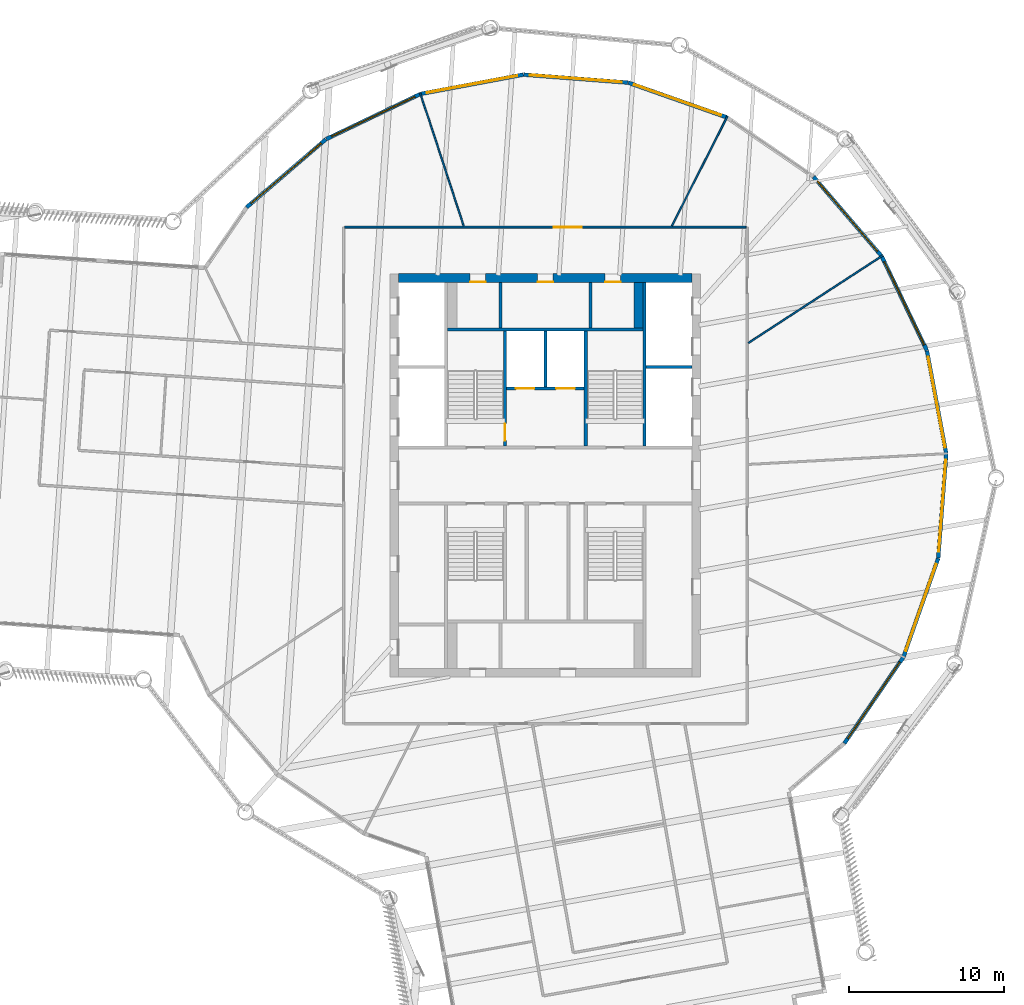
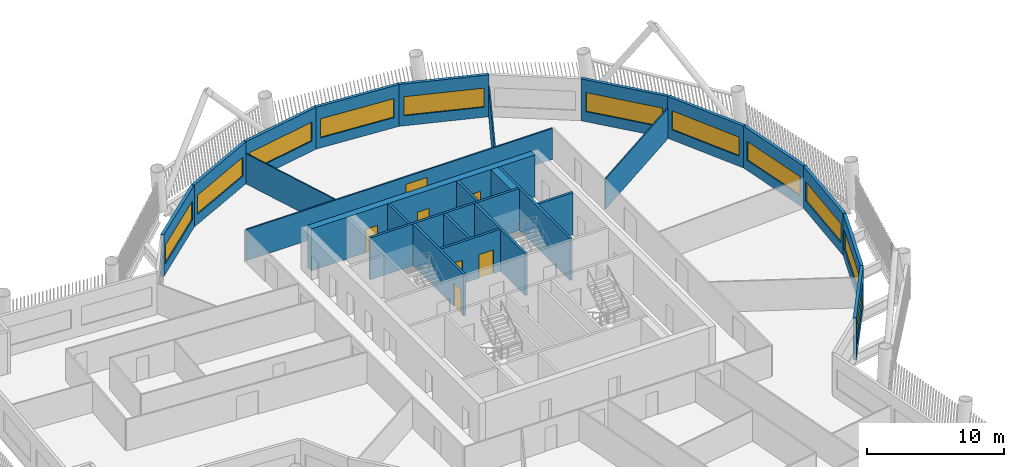
# One storey, part 6 of 22: 26 walls, 11 windows, 7 doors, 18 openings.
"""IFC4 building model written with IfcOpenShell, lengths in metres."""

from ifc_helpers import new_model, si_unit, direction, frame, frame_2d, origin, place, context, subcontext, project, spatial, rectangle, extrude, material, layer, layer_set, type_object, element, fill, save


model = new_model("IFC4")

# Units and contexts
model_context = context("Model", 3, precision=1e-05, world=origin(), true_north=direction((0.0, 1.0)))
body_context = subcontext(model_context, "Body", "Model", "MODEL_VIEW")
ifc_project = project(units=[si_unit("LENGTHUNIT", "METRE"), si_unit("AREAUNIT", "SQUARE_METRE"), si_unit("VOLUMEUNIT", "CUBIC_METRE"), si_unit("PLANEANGLEUNIT", "RADIAN"), si_unit("MASSUNIT", "GRAM", prefix="KILO")], contexts=[model_context])

# Site, building, storey
site_placement = place(None, origin())
site = spatial("IfcSite", under=ifc_project, at=site_placement, CompositionType="ELEMENT")
building_placement = place(site_placement, origin())
building = spatial("IfcBuilding", under=site, at=building_placement, Name="Tarsis Ring Headquarters", CompositionType="ELEMENT")
storey_placement = place(building_placement, frame((0.0, 0.0, 270.800048828125)))
storey = spatial("IfcBuildingStorey", under=building, at=storey_placement, Name="L63", CompositionType="ELEMENT", Elevation=270.800048828125)

# Walls
ifc_material_1 = material(Name="Blockwork", Category="masonry")
ifc_layer_1 = layer(ifc_material_1, 0.199951171875)
ifc_layer_set_1 = layer_set([ifc_layer_1], Name="Core blockwork wall 200")
wall_type_1 = type_object("IfcWallType", Name="Core blockwork wall 200", PredefinedType="PARTITIONING", material=ifc_layer_set_1)
for number, where, z_axis, x_axis, name in (
    (1, (-2.89990234375, 9.5, 0.0), (0.0, 0.0, 1.0), (0.0, 1.0, 0.0), "Core partition ND1"),
    (2, (2.89990234375, 9.5, 0.0), (0.0, 0.0, 1.0), (0.0, 1.0, 0.0), "Core partition ND3"),
):
    element("IfcWall", number, at=place(storey_placement, frame(where, z_axis=z_axis, x_axis=x_axis)), inside=storey, type_object=wall_type_1, Name=name, PredefinedType="PARTITIONING", context=body_context, shape_type="SweptSolid", body=[
        extrude(rectangle(XDim=2.949951171875, YDim=0.199951171875, at=frame_2d((1.47509765625, 0.0))), origin(), (0.0, 0.0, 1.0), 3.739990234375),
    ])

# Wall, openings, doors
ifc_material_2 = material(Name="Concrete C50/60", Category="concrete")
ifc_layer_2 = layer(ifc_material_2, 0.550048828125)
ifc_layer_set_2 = layer_set([ifc_layer_2], Name="Core wall 550 C50/60")
wall_type_2 = type_object("IfcWallType", Name="Core wall 550 C50/60", PredefinedType="SHEAR", material=ifc_layer_set_2)
wall_1_placement = place(storey_placement, frame((-9.449951171875, 12.72509765625, 0.0), z_axis=(0.0, 0.0, 1.0), x_axis=(1.0, 0.0, 0.0)))
wall_1 = element("IfcWall", 3, at=wall_1_placement, inside=storey, type_object=wall_type_2, Name="Core wall ON", PredefinedType="SHEAR", context=body_context, shape_type="SweptSolid", body=[
    extrude(rectangle(XDim=18.89990234375, YDim=0.550048828125, at=frame_2d((9.449951171875, 0.0))), origin(), (0.0, 0.0, 1.0), 3.739990234375),
])
opening_1_placement = place(wall_1_placement, frame((4.60009765625, 0.0, 0.0)))
opening_1 = element("IfcOpeningElement", 4, at=opening_1_placement, cuts=wall_1, Name="Opening L63-C14", PredefinedType="OPENING", context=body_context, shape_type="SweptSolid", body=[
    extrude(rectangle(XDim=1.0, YDim=2.10009765625, at=frame_2d((0.5, 1.050048828125))), frame((0.0, 0.284912109375, 0.0), z_axis=(0.0, -1.0, 0.0), x_axis=(1.0, 0.0, 0.0)), (0.0, 0.0, 1.0), 0.570068359375),
])
opening_2_placement = place(wall_1_placement, frame((8.949951171875, 0.0, 0.0)))
opening_2 = element("IfcOpeningElement", 5, at=opening_2_placement, cuts=wall_1, Name="Opening L63-C15", PredefinedType="OPENING", context=body_context, shape_type="SweptSolid", body=[
    extrude(rectangle(XDim=1.0, YDim=2.10009765625, at=frame_2d((0.5, 1.050048828125))), frame((0.0, 0.284912109375, 0.0), z_axis=(0.0, -1.0, 0.0), x_axis=(1.0, 0.0, 0.0)), (0.0, 0.0, 1.0), 0.570068359375),
])
opening_3_placement = place(wall_1_placement, frame((13.300048828125, 0.0, 0.0)))
opening_3 = element("IfcOpeningElement", 6, at=opening_3_placement, cuts=wall_1, Name="Opening L63-C16", PredefinedType="OPENING", context=body_context, shape_type="SweptSolid", body=[
    extrude(rectangle(XDim=1.0, YDim=2.10009765625, at=frame_2d((0.5, 1.050048828125))), frame((0.0, 0.284912109375, 0.0), z_axis=(0.0, -1.0, 0.0), x_axis=(1.0, 0.0, 0.0)), (0.0, 0.0, 1.0), 0.570068359375),
])
ifc_material_3 = material(Name="Steel S355", Category="steel")
door_type_1 = type_object("IfcDoorType", Name="Core room door 1000x2100", OperationType="SINGLE_SWING_LEFT", PredefinedType="DOOR", material=ifc_material_3)
door_1_placement = place(opening_1_placement, origin())
door_1 = element("IfcDoor", 7, at=door_1_placement, inside=storey, type_object=door_type_1, Name="Core room door L63", OperationType="SINGLE_SWING_LEFT", OverallHeight=2.10009765625, OverallWidth=1.0, PredefinedType="DOOR", context=body_context, shape_type="SweptSolid", body=[
    extrude(rectangle(XDim=1.0, YDim=2.10009765625, at=frame_2d((0.5, 1.050048828125))), frame((0.0, -0.22509765625, 0.0), z_axis=(0.0, -1.0, 0.0), x_axis=(1.0, 0.0, 0.0)), (0.0, 0.0, 1.0), 0.050048828125),
])
fill(opening_1, door_1)
door_2_placement = place(opening_2_placement, origin())
door_2 = element("IfcDoor", 8, at=door_2_placement, inside=storey, type_object=door_type_1, Name="Core room door L63", OperationType="SINGLE_SWING_LEFT", OverallHeight=2.10009765625, OverallWidth=1.0, PredefinedType="DOOR", context=body_context, shape_type="SweptSolid", body=[
    extrude(rectangle(XDim=1.0, YDim=2.10009765625, at=frame_2d((0.5, 1.050048828125))), frame((0.0, -0.22509765625, 0.0), z_axis=(0.0, -1.0, 0.0), x_axis=(1.0, 0.0, 0.0)), (0.0, 0.0, 1.0), 0.050048828125),
])
fill(opening_2, door_2)
door_3_placement = place(opening_3_placement, origin())
door_3 = element("IfcDoor", 9, at=door_3_placement, inside=storey, type_object=door_type_1, Name="Core room door L63", OperationType="SINGLE_SWING_LEFT", OverallHeight=2.10009765625, OverallWidth=1.0, PredefinedType="DOOR", context=body_context, shape_type="SweptSolid", body=[
    extrude(rectangle(XDim=1.0, YDim=2.10009765625, at=frame_2d((0.5, 1.050048828125))), frame((0.0, -0.22509765625, 0.0), z_axis=(0.0, -1.0, 0.0), x_axis=(1.0, 0.0, 0.0)), (0.0, 0.0, 1.0), 0.050048828125),
])
fill(opening_3, door_3)

# Walls
ifc_material_4 = material(Name="Gypsum board on steel studs", Category="steel")
ifc_layer_3 = layer(ifc_material_4, 0.10009765625)
ifc_layer_set_3 = layer_set([ifc_layer_3], Name="FL partition 100 unrated")
wall_type_3 = type_object("IfcWallType", Name="FL partition 100 unrated", PredefinedType="PARTITIONING", material=ifc_layer_set_3)
wall_2_placement = place(storey_placement, frame((13.083740234375, 8.53564453125, 0.0), z_axis=(0.0, 0.0, 1.0), x_axis=(0.837523569365, 0.546401199448, 0.0)))
element("IfcWall", 10, at=wall_2_placement, inside=storey, type_object=wall_type_3, Name="Partition PW3", PredefinedType="PARTITIONING", context=body_context, shape_type="SweptSolid", body=[
    extrude(rectangle(XDim=10.325927734375, YDim=0.10009765625, at=frame_2d((5.1630859375, 0.0))), origin(), (0.0, 0.0, 1.0), 2.699951171875),
])
wall_3_placement = place(storey_placement, frame((-8.070068359375, 24.660888671875, 0.0), z_axis=(0.0, 0.0, 1.0), x_axis=(0.311009320764, -0.950406861506, 0.0)))
element("IfcWall", 11, at=wall_3_placement, inside=storey, type_object=wall_type_3, Name="Partition PW3", PredefinedType="PARTITIONING", context=body_context, shape_type="SweptSolid", body=[
    extrude(rectangle(XDim=9.032958984375, YDim=0.10009765625, at=frame_2d((4.5166015625, 0.0))), origin(), (0.0, 0.0, 1.0), 2.699951171875),
])
wall_4_placement = place(storey_placement, frame((8.15087890625, 16.080322265625, 0.0), z_axis=(0.0, 0.0, 1.0), x_axis=(0.452139110201, 0.891947434004, 0.0)))
element("IfcWall", 12, at=wall_4_placement, inside=storey, type_object=wall_type_3, Name="Partition PW3", PredefinedType="PARTITIONING", context=body_context, shape_type="SweptSolid", body=[
    extrude(rectangle(XDim=7.919677734375, YDim=0.10009765625, at=frame_2d((3.9599609375, 0.0))), origin(), (0.0, 0.0, 1.0), 2.699951171875),
])

# Wall, opening, door
ifc_layer_4 = layer(ifc_material_4, 0.125)
ifc_layer_set_4 = layer_set([ifc_layer_4], Name="FL partition 125 EI 60 H2770")
wall_type_4 = type_object("IfcWallType", Name="FL partition 125 EI 60 H2770", PredefinedType="PARTITIONING", material=ifc_layer_set_4)
wall_5_placement = place(storey_placement, frame((-12.93994140625, 16.0, 0.0), z_axis=(0.0, 0.0, 1.0), x_axis=(1.0, 0.0, 0.0)))
wall_5 = element("IfcWall", 13, at=wall_5_placement, inside=storey, type_object=wall_type_4, Name="Partition PW1", PredefinedType="PARTITIONING", context=body_context, shape_type="SweptSolid", body=[
    extrude(rectangle(XDim=25.8798828125, YDim=0.125, at=frame_2d((12.93994140625, 0.0))), origin(), (0.0, 0.0, 1.0), 2.77001953125),
])
opening_4_placement = place(wall_5_placement, frame((13.477294921875, 0.0, 0.0)))
opening_4 = element("IfcOpeningElement", 14, at=opening_4_placement, cuts=wall_5, Name="Opening D63.04", PredefinedType="OPENING", context=body_context, shape_type="SweptSolid", body=[
    extrude(rectangle(XDim=1.800048828125, YDim=2.10009765625, at=frame_2d((0.89990234375, 1.050048828125))), frame((0.0, 0.072509765625, 0.0), z_axis=(0.0, -1.0, 0.0), x_axis=(1.0, 0.0, 0.0)), (0.0, 0.0, 1.0), 0.14501953125),
])
ifc_material_5 = material(Name="Fire-rated timber door leaf in steel frame", Category="steel")
door_type_2 = type_object("IfcDoorType", Name="FL door FD60-1800", OperationType="DOUBLE_DOOR_SINGLE_SWING", PredefinedType="DOOR", material=ifc_material_5)
door_4_placement = place(opening_4_placement, origin())
door_4 = element("IfcDoor", 15, at=door_4_placement, inside=storey, type_object=door_type_2, Name="Door D63.04", OperationType="DOUBLE_DOOR_SINGLE_SWING", OverallHeight=2.10009765625, OverallWidth=1.800048828125, PredefinedType="DOOR", context=body_context, shape_type="SweptSolid", body=[
    extrude(rectangle(XDim=1.800048828125, YDim=2.10009765625, at=frame_2d((0.89990234375, 1.050048828125))), frame((0.0, 0.02490234375, 0.0), z_axis=(0.0, -1.0, 0.0), x_axis=(1.0, 0.0, 0.0)), (0.0, 0.0, 1.0), 0.050048828125),
])
fill(opening_4, door_4)

# Wall, opening, window
ifc_material_6 = material(Name="Terracotta clad insulated panel wall", Category="masonry")
ifc_layer_5 = layer(ifc_material_6, 0.25)
ifc_layer_set_5 = layer_set([ifc_layer_5], Name="Facade wall terracotta panel 250")
wall_type_5 = type_object("IfcWallType", Name="Facade wall terracotta panel 250", PredefinedType="STANDARD", material=ifc_layer_set_5)
wall_6_placement = place(storey_placement, frame((19.273681640625, -17.259033203125, 0.0), z_axis=(0.0, 0.0, 1.0), x_axis=(0.564668289998, 0.825317952228, 0.0)))
wall_6 = element("IfcWall", 16, at=wall_6_placement, inside=storey, type_object=wall_type_5, Name="External wall L63-18", PredefinedType="STANDARD", context=body_context, shape_type="SweptSolid", body=[
    extrude(rectangle(XDim=6.721435546875, YDim=0.25, at=frame_2d((3.36083984375, 0.0))), origin(), (0.0, 0.0, 1.0), 3.739990234375),
])
opening_5_placement = place(wall_6_placement, frame((0.3857421875, 0.0, 0.89990234375)))
opening_5 = element("IfcOpeningElement", 17, at=opening_5_placement, cuts=wall_6, Name="Opening WN07", PredefinedType="OPENING", context=body_context, shape_type="SweptSolid", body=[
    extrude(rectangle(XDim=5.949951171875, YDim=1.699951171875, at=frame_2d((2.97509765625, 0.85009765625))), frame((0.0, 0.135009765625, 0.0), z_axis=(0.0, -1.0, 0.0), x_axis=(1.0, 0.0, 0.0)), (0.0, 0.0, 1.0), 0.27001953125),
])
ifc_material_7 = material(Name="Aluminium framed double glazing", Category="aluminium")
window_type = type_object("IfcWindowType", Name="Facade window 5950 x 1700", PartitioningType="SINGLE_PANEL", PredefinedType="WINDOW", material=ifc_material_7)
window_1_placement = place(opening_5_placement, origin())
window_1 = element("IfcWindow", 18, at=window_1_placement, inside=storey, type_object=window_type, Name="Window L63-18.1", OverallHeight=1.699951171875, OverallWidth=5.949951171875, PartitioningType="SINGLE_PANEL", PredefinedType="WINDOW", context=body_context, shape_type="SweptSolid", body=[
    extrude(rectangle(XDim=5.949951171875, YDim=1.699951171875, at=frame_2d((2.97509765625, 0.85009765625))), frame((0.0, 0.030029296875, 0.0), z_axis=(0.0, -1.0, 0.0), x_axis=(1.0, 0.0, 0.0)), (0.0, 0.0, 1.0), 0.06005859375),
])
fill(opening_5, window_1)

wall_7_placement = place(storey_placement, frame((23.083740234375, -11.6826171875, 0.0), z_axis=(0.0, 0.0, 1.0), x_axis=(0.331843363983, 0.943334501532, 0.0)))
wall_7 = element("IfcWall", 19, at=wall_7_placement, inside=storey, type_object=wall_type_5, Name="External wall L63-19", PredefinedType="STANDARD", context=body_context, shape_type="SweptSolid", body=[
    extrude(rectangle(XDim=6.721435546875, YDim=0.25, at=frame_2d((3.36083984375, 0.0))), origin(), (0.0, 0.0, 1.0), 3.739990234375),
])
opening_6_placement = place(wall_7_placement, frame((0.3857421875, 0.0, 0.89990234375)))
opening_6 = element("IfcOpeningElement", 20, at=opening_6_placement, cuts=wall_7, Name="Opening WN07", PredefinedType="OPENING", context=body_context, shape_type="SweptSolid", body=[
    extrude(rectangle(XDim=5.949951171875, YDim=1.699951171875, at=frame_2d((2.97509765625, 0.85009765625))), frame((0.0, 0.135009765625, 0.0), z_axis=(0.0, -1.0, 0.0), x_axis=(1.0, 0.0, 0.0)), (0.0, 0.0, 1.0), 0.27001953125),
])
window_2_placement = place(opening_6_placement, origin())
window_2 = element("IfcWindow", 21, at=window_2_placement, inside=storey, type_object=window_type, Name="Window L63-19.1", OverallHeight=1.699951171875, OverallWidth=5.949951171875, PartitioningType="SINGLE_PANEL", PredefinedType="WINDOW", context=body_context, shape_type="SweptSolid", body=[
    extrude(rectangle(XDim=5.949951171875, YDim=1.699951171875, at=frame_2d((2.97509765625, 0.85009765625))), frame((0.0, 0.030029296875, 0.0), z_axis=(0.0, -1.0, 0.0), x_axis=(1.0, 0.0, 0.0)), (0.0, 0.0, 1.0), 0.06005859375),
])
fill(opening_6, window_2)

wall_8_placement = place(storey_placement, frame((25.321044921875, -5.31005859375, 0.0), z_axis=(0.0, 0.0, 1.0), x_axis=(0.076349296588, 0.997081132562, 0.0)))
wall_8 = element("IfcWall", 22, at=wall_8_placement, inside=storey, type_object=wall_type_5, Name="External wall L63-20", PredefinedType="STANDARD", context=body_context, shape_type="SweptSolid", body=[
    extrude(rectangle(XDim=6.721435546875, YDim=0.25, at=frame_2d((3.36083984375, 0.0))), origin(), (0.0, 0.0, 1.0), 3.739990234375),
])
opening_7_placement = place(wall_8_placement, frame((0.3857421875, 0.0, 0.89990234375)))
opening_7 = element("IfcOpeningElement", 23, at=opening_7_placement, cuts=wall_8, Name="Opening WN07", PredefinedType="OPENING", context=body_context, shape_type="SweptSolid", body=[
    extrude(rectangle(XDim=5.949951171875, YDim=1.699951171875, at=frame_2d((2.97509765625, 0.85009765625))), frame((0.0, 0.135009765625, 0.0), z_axis=(0.0, -1.0, 0.0), x_axis=(1.0, 0.0, 0.0)), (0.0, 0.0, 1.0), 0.27001953125),
])
window_3_placement = place(opening_7_placement, origin())
window_3 = element("IfcWindow", 24, at=window_3_placement, inside=storey, type_object=window_type, Name="Window L63-20.1", OverallHeight=1.699951171875, OverallWidth=5.949951171875, PartitioningType="SINGLE_PANEL", PredefinedType="WINDOW", context=body_context, shape_type="SweptSolid", body=[
    extrude(rectangle(XDim=5.949951171875, YDim=1.699951171875, at=frame_2d((2.97509765625, 0.85009765625))), frame((0.0, 0.030029296875, 0.0), z_axis=(0.0, -1.0, 0.0), x_axis=(1.0, 0.0, 0.0)), (0.0, 0.0, 1.0), 0.06005859375),
])
fill(opening_7, window_3)

wall_9_placement = place(storey_placement, frame((25.83251953125, 1.42431640625, 0.0), z_axis=(0.0, 0.0, 1.0), x_axis=(-0.184297307124, 0.98287054213, 0.0)))
wall_9 = element("IfcWall", 25, at=wall_9_placement, inside=storey, type_object=wall_type_5, Name="External wall L63-21", PredefinedType="STANDARD", context=body_context, shape_type="SweptSolid", body=[
    extrude(rectangle(XDim=6.7216796875, YDim=0.25, at=frame_2d((3.36083984375, 0.0))), origin(), (0.0, 0.0, 1.0), 3.739990234375),
])
opening_8_placement = place(wall_9_placement, frame((0.3857421875, 0.0, 0.89990234375)))
opening_8 = element("IfcOpeningElement", 26, at=opening_8_placement, cuts=wall_9, Name="Opening WN07", PredefinedType="OPENING", context=body_context, shape_type="SweptSolid", body=[
    extrude(rectangle(XDim=5.949951171875, YDim=1.699951171875, at=frame_2d((2.97509765625, 0.85009765625))), frame((0.0, 0.135009765625, 0.0), z_axis=(0.0, -1.0, 0.0), x_axis=(1.0, 0.0, 0.0)), (0.0, 0.0, 1.0), 0.27001953125),
])
window_4_placement = place(opening_8_placement, origin())
window_4 = element("IfcWindow", 27, at=window_4_placement, inside=storey, type_object=window_type, Name="Window L63-21.1", OverallHeight=1.699951171875, OverallWidth=5.949951171875, PartitioningType="SINGLE_PANEL", PredefinedType="WINDOW", context=body_context, shape_type="SweptSolid", body=[
    extrude(rectangle(XDim=5.949951171875, YDim=1.699951171875, at=frame_2d((2.97509765625, 0.85009765625))), frame((0.0, 0.030029296875, 0.0), z_axis=(0.0, -1.0, 0.0), x_axis=(1.0, 0.0, 0.0)), (0.0, 0.0, 1.0), 0.06005859375),
])
fill(opening_8, window_4)

wall_10_placement = place(storey_placement, frame((24.583740234375, 8.061767578125, 0.0), z_axis=(0.0, 0.0, 1.0), x_axis=(-0.432406319546, 0.901678864572, 0.0)))
wall_10 = element("IfcWall", 28, at=wall_10_placement, inside=storey, type_object=wall_type_5, Name="External wall L63-22", PredefinedType="STANDARD", context=body_context, shape_type="SweptSolid", body=[
    extrude(rectangle(XDim=6.7216796875, YDim=0.25, at=frame_2d((3.36083984375, 0.0))), origin(), (0.0, 0.0, 1.0), 3.739990234375),
])
opening_9_placement = place(wall_10_placement, frame((0.3857421875, 0.0, 0.89990234375)))
opening_9 = element("IfcOpeningElement", 29, at=opening_9_placement, cuts=wall_10, Name="Opening WN07", PredefinedType="OPENING", context=body_context, shape_type="SweptSolid", body=[
    extrude(rectangle(XDim=5.949951171875, YDim=1.699951171875, at=frame_2d((2.97509765625, 0.85009765625))), frame((0.0, 0.135009765625, 0.0), z_axis=(0.0, -1.0, 0.0), x_axis=(1.0, 0.0, 0.0)), (0.0, 0.0, 1.0), 0.27001953125),
])
window_5_placement = place(opening_9_placement, origin())
window_5 = element("IfcWindow", 30, at=window_5_placement, inside=storey, type_object=window_type, Name="Window L63-22.1", OverallHeight=1.699951171875, OverallWidth=5.949951171875, PartitioningType="SINGLE_PANEL", PredefinedType="WINDOW", context=body_context, shape_type="SweptSolid", body=[
    extrude(rectangle(XDim=5.949951171875, YDim=1.699951171875, at=frame_2d((2.97509765625, 0.85009765625))), frame((0.0, 0.030029296875, 0.0), z_axis=(0.0, -1.0, 0.0), x_axis=(1.0, 0.0, 0.0)), (0.0, 0.0, 1.0), 0.06005859375),
])
fill(opening_9, window_5)

wall_11_placement = place(storey_placement, frame((21.659423828125, 14.14990234375, 0.0), z_axis=(0.0, 0.0, 1.0), x_axis=(-0.651048586485, 0.759036058456, 0.0)))
wall_11 = element("IfcWall", 31, at=wall_11_placement, inside=storey, type_object=wall_type_5, Name="External wall L63-23", PredefinedType="STANDARD", context=body_context, shape_type="SweptSolid", body=[
    extrude(rectangle(XDim=6.721435546875, YDim=0.25, at=frame_2d((3.36083984375, 0.0))), origin(), (0.0, 0.0, 1.0), 3.739990234375),
])
opening_10_placement = place(wall_11_placement, frame((0.3857421875, 0.0, 0.89990234375)))
opening_10 = element("IfcOpeningElement", 32, at=opening_10_placement, cuts=wall_11, Name="Opening WN07", PredefinedType="OPENING", context=body_context, shape_type="SweptSolid", body=[
    extrude(rectangle(XDim=5.949951171875, YDim=1.699951171875, at=frame_2d((2.97509765625, 0.85009765625))), frame((0.0, 0.135009765625, 0.0), z_axis=(0.0, -1.0, 0.0), x_axis=(1.0, 0.0, 0.0)), (0.0, 0.0, 1.0), 0.27001953125),
])
window_6_placement = place(opening_10_placement, origin())
window_6 = element("IfcWindow", 33, at=window_6_placement, inside=storey, type_object=window_type, Name="Window L63-23.1", OverallHeight=1.699951171875, OverallWidth=5.949951171875, PartitioningType="SINGLE_PANEL", PredefinedType="WINDOW", context=body_context, shape_type="SweptSolid", body=[
    extrude(rectangle(XDim=5.949951171875, YDim=1.699951171875, at=frame_2d((2.97509765625, 0.85009765625))), frame((0.0, 0.030029296875, 0.0), z_axis=(0.0, -1.0, 0.0), x_axis=(1.0, 0.0, 0.0)), (0.0, 0.0, 1.0), 0.06005859375),
])
fill(opening_10, window_6)

wall_12_placement = place(storey_placement, frame((11.6826171875, 23.083740234375, 0.0), z_axis=(0.0, 0.0, 1.0), x_axis=(-0.943334501532, 0.331843363983, 0.0)))
wall_12 = element("IfcWall", 34, at=wall_12_placement, inside=storey, type_object=wall_type_5, Name="External wall L63-25", PredefinedType="STANDARD", context=body_context, shape_type="SweptSolid", body=[
    extrude(rectangle(XDim=6.721435546875, YDim=0.25, at=frame_2d((3.36083984375, 0.0))), origin(), (0.0, 0.0, 1.0), 3.739990234375),
])
opening_11_placement = place(wall_12_placement, frame((0.3857421875, 0.0, 0.89990234375)))
opening_11 = element("IfcOpeningElement", 35, at=opening_11_placement, cuts=wall_12, Name="Opening WN07", PredefinedType="OPENING", context=body_context, shape_type="SweptSolid", body=[
    extrude(rectangle(XDim=5.949951171875, YDim=1.699951171875, at=frame_2d((2.97509765625, 0.85009765625))), frame((0.0, 0.135009765625, 0.0), z_axis=(0.0, -1.0, 0.0), x_axis=(1.0, 0.0, 0.0)), (0.0, 0.0, 1.0), 0.27001953125),
])
window_7_placement = place(opening_11_placement, origin())
window_7 = element("IfcWindow", 36, at=window_7_placement, inside=storey, type_object=window_type, Name="Window L63-25.1", OverallHeight=1.699951171875, OverallWidth=5.949951171875, PartitioningType="SINGLE_PANEL", PredefinedType="WINDOW", context=body_context, shape_type="SweptSolid", body=[
    extrude(rectangle(XDim=5.949951171875, YDim=1.699951171875, at=frame_2d((2.97509765625, 0.85009765625))), frame((0.0, 0.030029296875, 0.0), z_axis=(0.0, -1.0, 0.0), x_axis=(1.0, 0.0, 0.0)), (0.0, 0.0, 1.0), 0.06005859375),
])
fill(opening_11, window_7)

wall_13_placement = place(storey_placement, frame((5.31005859375, 25.321044921875, 0.0), z_axis=(0.0, 0.0, 1.0), x_axis=(-0.997081132562, 0.076349296588, 0.0)))
wall_13 = element("IfcWall", 37, at=wall_13_placement, inside=storey, type_object=wall_type_5, Name="External wall L63-26", PredefinedType="STANDARD", context=body_context, shape_type="SweptSolid", body=[
    extrude(rectangle(XDim=6.721435546875, YDim=0.25, at=frame_2d((3.36083984375, 0.0))), origin(), (0.0, 0.0, 1.0), 3.739990234375),
])
opening_12_placement = place(wall_13_placement, frame((0.3857421875, 0.0, 0.89990234375)))
opening_12 = element("IfcOpeningElement", 38, at=opening_12_placement, cuts=wall_13, Name="Opening WN07", PredefinedType="OPENING", context=body_context, shape_type="SweptSolid", body=[
    extrude(rectangle(XDim=5.949951171875, YDim=1.699951171875, at=frame_2d((2.97509765625, 0.85009765625))), frame((0.0, 0.135009765625, 0.0), z_axis=(0.0, -1.0, 0.0), x_axis=(1.0, 0.0, 0.0)), (0.0, 0.0, 1.0), 0.27001953125),
])
window_8_placement = place(opening_12_placement, origin())
window_8 = element("IfcWindow", 39, at=window_8_placement, inside=storey, type_object=window_type, Name="Window L63-26.1", OverallHeight=1.699951171875, OverallWidth=5.949951171875, PartitioningType="SINGLE_PANEL", PredefinedType="WINDOW", context=body_context, shape_type="SweptSolid", body=[
    extrude(rectangle(XDim=5.949951171875, YDim=1.699951171875, at=frame_2d((2.97509765625, 0.85009765625))), frame((0.0, 0.030029296875, 0.0), z_axis=(0.0, -1.0, 0.0), x_axis=(1.0, 0.0, 0.0)), (0.0, 0.0, 1.0), 0.06005859375),
])
fill(opening_12, window_8)

wall_14_placement = place(storey_placement, frame((-1.42431640625, 25.83251953125, 0.0), z_axis=(0.0, 0.0, 1.0), x_axis=(-0.98287054213, -0.184297307124, 0.0)))
wall_14 = element("IfcWall", 40, at=wall_14_placement, inside=storey, type_object=wall_type_5, Name="External wall L63-27", PredefinedType="STANDARD", context=body_context, shape_type="SweptSolid", body=[
    extrude(rectangle(XDim=6.7216796875, YDim=0.25, at=frame_2d((3.36083984375, 0.0))), origin(), (0.0, 0.0, 1.0), 3.739990234375),
])
opening_13_placement = place(wall_14_placement, frame((0.3857421875, 0.0, 0.89990234375)))
opening_13 = element("IfcOpeningElement", 41, at=opening_13_placement, cuts=wall_14, Name="Opening WN07", PredefinedType="OPENING", context=body_context, shape_type="SweptSolid", body=[
    extrude(rectangle(XDim=5.949951171875, YDim=1.699951171875, at=frame_2d((2.97509765625, 0.85009765625))), frame((0.0, 0.135009765625, 0.0), z_axis=(0.0, -1.0, 0.0), x_axis=(1.0, 0.0, 0.0)), (0.0, 0.0, 1.0), 0.27001953125),
])
window_9_placement = place(opening_13_placement, origin())
window_9 = element("IfcWindow", 42, at=window_9_placement, inside=storey, type_object=window_type, Name="Window L63-27.1", OverallHeight=1.699951171875, OverallWidth=5.949951171875, PartitioningType="SINGLE_PANEL", PredefinedType="WINDOW", context=body_context, shape_type="SweptSolid", body=[
    extrude(rectangle(XDim=5.949951171875, YDim=1.699951171875, at=frame_2d((2.97509765625, 0.85009765625))), frame((0.0, 0.030029296875, 0.0), z_axis=(0.0, -1.0, 0.0), x_axis=(1.0, 0.0, 0.0)), (0.0, 0.0, 1.0), 0.06005859375),
])
fill(opening_13, window_9)

wall_15_placement = place(storey_placement, frame((-8.061767578125, 24.583740234375, 0.0), z_axis=(0.0, 0.0, 1.0), x_axis=(-0.901678864572, -0.432406319546, 0.0)))
wall_15 = element("IfcWall", 43, at=wall_15_placement, inside=storey, type_object=wall_type_5, Name="External wall L63-28", PredefinedType="STANDARD", context=body_context, shape_type="SweptSolid", body=[
    extrude(rectangle(XDim=6.7216796875, YDim=0.25, at=frame_2d((3.36083984375, 0.0))), origin(), (0.0, 0.0, 1.0), 3.739990234375),
])
opening_14_placement = place(wall_15_placement, frame((0.3857421875, 0.0, 0.89990234375)))
opening_14 = element("IfcOpeningElement", 44, at=opening_14_placement, cuts=wall_15, Name="Opening WN07", PredefinedType="OPENING", context=body_context, shape_type="SweptSolid", body=[
    extrude(rectangle(XDim=5.949951171875, YDim=1.699951171875, at=frame_2d((2.97509765625, 0.85009765625))), frame((0.0, 0.135009765625, 0.0), z_axis=(0.0, -1.0, 0.0), x_axis=(1.0, 0.0, 0.0)), (0.0, 0.0, 1.0), 0.27001953125),
])
window_10_placement = place(opening_14_placement, origin())
window_10 = element("IfcWindow", 45, at=window_10_placement, inside=storey, type_object=window_type, Name="Window L63-28.1", OverallHeight=1.699951171875, OverallWidth=5.949951171875, PartitioningType="SINGLE_PANEL", PredefinedType="WINDOW", context=body_context, shape_type="SweptSolid", body=[
    extrude(rectangle(XDim=5.949951171875, YDim=1.699951171875, at=frame_2d((2.97509765625, 0.85009765625))), frame((0.0, 0.030029296875, 0.0), z_axis=(0.0, -1.0, 0.0), x_axis=(1.0, 0.0, 0.0)), (0.0, 0.0, 1.0), 0.06005859375),
])
fill(opening_14, window_10)

wall_16_placement = place(storey_placement, frame((-14.14990234375, 21.659423828125, 0.0), z_axis=(0.0, 0.0, 1.0), x_axis=(-0.759036058456, -0.651048586485, 0.0)))
wall_16 = element("IfcWall", 46, at=wall_16_placement, inside=storey, type_object=wall_type_5, Name="External wall L63-29", PredefinedType="STANDARD", context=body_context, shape_type="SweptSolid", body=[
    extrude(rectangle(XDim=6.721435546875, YDim=0.25, at=frame_2d((3.36083984375, 0.0))), origin(), (0.0, 0.0, 1.0), 3.739990234375),
])
opening_15_placement = place(wall_16_placement, frame((0.3857421875, 0.0, 0.89990234375)))
opening_15 = element("IfcOpeningElement", 47, at=opening_15_placement, cuts=wall_16, Name="Opening WN07", PredefinedType="OPENING", context=body_context, shape_type="SweptSolid", body=[
    extrude(rectangle(XDim=5.949951171875, YDim=1.699951171875, at=frame_2d((2.97509765625, 0.85009765625))), frame((0.0, 0.135009765625, 0.0), z_axis=(0.0, -1.0, 0.0), x_axis=(1.0, 0.0, 0.0)), (0.0, 0.0, 1.0), 0.27001953125),
])
window_11_placement = place(opening_15_placement, origin())
window_11 = element("IfcWindow", 48, at=window_11_placement, inside=storey, type_object=window_type, Name="Window L63-29.1", OverallHeight=1.699951171875, OverallWidth=5.949951171875, PartitioningType="SINGLE_PANEL", PredefinedType="WINDOW", context=body_context, shape_type="SweptSolid", body=[
    extrude(rectangle(XDim=5.949951171875, YDim=1.699951171875, at=frame_2d((2.97509765625, 0.85009765625))), frame((0.0, 0.030029296875, 0.0), z_axis=(0.0, -1.0, 0.0), x_axis=(1.0, 0.0, 0.0)), (0.0, 0.0, 1.0), 0.06005859375),
])
fill(opening_15, window_11)

# Walls
ifc_material_8 = material(Name="Concrete C32/40", Category="concrete")
ifc_layer_6 = layer(ifc_material_8, 0.60009765625)
ifc_layer_set_6 = layer_set([ifc_layer_6], Name="Shaft end wall 600 C32/40")
wall_type_6 = type_object("IfcWallType", Name="Shaft end wall 600 C32/40", PredefinedType="SOLIDWALL", material=ifc_layer_set_6)
wall_17_placement = place(storey_placement, frame((6.0, 9.5, 0.0), z_axis=(0.0, 0.0, 1.0), x_axis=(0.0, 1.0, 0.0)))
element("IfcWall", 49, at=wall_17_placement, inside=storey, type_object=wall_type_6, Name="Core shaft wall NNE2", PredefinedType="SOLIDWALL", context=body_context, shape_type="SweptSolid", body=[
    extrude(rectangle(XDim=2.949951171875, YDim=0.60009765625, at=frame_2d((1.47509765625, 0.0))), origin(), (0.0, 0.0, 1.0), 3.739990234375),
])
ifc_layer_7 = layer(ifc_material_8, 0.199951171875)
ifc_layer_set_7 = layer_set([ifc_layer_7], Name="Shaft wall 200 C32/40")
wall_type_7 = type_object("IfcWallType", Name="Shaft wall 200 C32/40", PredefinedType="SOLIDWALL", material=ifc_layer_set_7)
wall_18_placement = place(storey_placement, frame((6.39990234375, 1.89990234375, 0.0), z_axis=(0.0, 0.0, 1.0), x_axis=(0.0, 1.0, 0.0)))
element("IfcWall", 50, at=wall_18_placement, inside=storey, type_object=wall_type_7, Name="Core shaft wall EB2", PredefinedType="SOLIDWALL", context=body_context, shape_type="SweptSolid", body=[
    extrude(rectangle(XDim=10.550048828125, YDim=0.199951171875, at=frame_2d((5.27490234375, 0.0))), origin(), (0.0, 0.0, 1.0), 3.739990234375),
])
wall_19_placement = place(storey_placement, frame((-6.300048828125, 9.39990234375, 0.0), z_axis=(0.0, 0.0, 1.0), x_axis=(1.0, 0.0, 0.0)))
element("IfcWall", 51, at=wall_19_placement, inside=storey, type_object=wall_type_7, Name="Core shaft wall NB", PredefinedType="SOLIDWALL", context=body_context, shape_type="SweptSolid", body=[
    extrude(rectangle(XDim=12.60009765625, YDim=0.199951171875, at=frame_2d((6.300048828125, 0.0))), origin(), (0.0, 0.0, 1.0), 3.739990234375),
])

# Wall, opening, door
wall_20_placement = place(storey_placement, frame((-2.60009765625, 1.89990234375, 0.0), z_axis=(0.0, 0.0, 1.0), x_axis=(0.0, 1.0, 0.0)))
wall_20 = element("IfcWall", 52, at=wall_20_placement, inside=storey, type_object=wall_type_7, Name="Core shaft wall SW1", PredefinedType="SOLIDWALL", context=body_context, shape_type="SweptSolid", body=[
    extrude(rectangle(XDim=7.400146484375, YDim=0.199951171875, at=frame_2d((3.7001953125, 0.0))), origin(), (0.0, 0.0, 1.0), 3.739990234375),
])
opening_16_placement = place(wall_20_placement, frame((0.35009765625, 0.0, 0.0)))
opening_16 = element("IfcOpeningElement", 53, at=opening_16_placement, cuts=wall_20, Name="Opening L63-C27", PredefinedType="OPENING", context=body_context, shape_type="SweptSolid", body=[
    extrude(rectangle(XDim=1.10009765625, YDim=2.10009765625, at=frame_2d((0.550048828125, 1.050048828125))), frame((0.0, 0.10986328125, 0.0), z_axis=(0.0, -1.0, 0.0), x_axis=(1.0, 0.0, 0.0)), (0.0, 0.0, 1.0), 0.219970703125),
])
door_type_3 = type_object("IfcDoorType", Name="Stair door 1100x2100", OperationType="SINGLE_SWING_LEFT", PredefinedType="DOOR", material=ifc_material_3)
door_5_placement = place(opening_16_placement, origin())
door_5 = element("IfcDoor", 54, at=door_5_placement, inside=storey, type_object=door_type_3, Name="Stair door L63", OperationType="SINGLE_SWING_LEFT", OverallHeight=2.10009765625, OverallWidth=1.10009765625, PredefinedType="DOOR", context=body_context, shape_type="SweptSolid", body=[
    extrude(rectangle(XDim=1.10009765625, YDim=2.10009765625, at=frame_2d((0.550048828125, 1.050048828125))), frame((0.0, 0.02490234375, 0.0), z_axis=(0.0, -1.0, 0.0), x_axis=(1.0, 0.0, 0.0)), (0.0, 0.0, 1.0), 0.050048828125),
])
fill(opening_16, door_5)

# Wall
wall_21_placement = place(storey_placement, frame((2.60009765625, 1.89990234375, 0.0), z_axis=(0.0, 0.0, 1.0), x_axis=(0.0, 1.0, 0.0)))
element("IfcWall", 55, at=wall_21_placement, inside=storey, type_object=wall_type_7, Name="Core shaft wall SW2", PredefinedType="SOLIDWALL", context=body_context, shape_type="SweptSolid", body=[
    extrude(rectangle(XDim=7.400146484375, YDim=0.199951171875, at=frame_2d((3.7001953125, 0.0))), origin(), (0.0, 0.0, 1.0), 3.739990234375),
])

# Wall, openings, doors
wall_22_placement = place(storey_placement, frame((-2.5, 5.60009765625, 0.0), z_axis=(0.0, 0.0, 1.0), x_axis=(1.0, 0.0, 0.0)))
wall_22 = element("IfcWall", 56, at=wall_22_placement, inside=storey, type_object=wall_type_7, Name="Core shaft wall FFN", PredefinedType="SOLIDWALL", context=body_context, shape_type="SweptSolid", body=[
    extrude(rectangle(XDim=5.0, YDim=0.199951171875, at=frame_2d((2.5, 0.0))), origin(), (0.0, 0.0, 1.0), 3.739990234375),
])
opening_17_placement = place(wall_22_placement, frame((0.60009765625, 0.0, 0.0)))
opening_17 = element("IfcOpeningElement", 57, at=opening_17_placement, cuts=wall_22, Name="Opening LDF-1", PredefinedType="OPENING", context=body_context, shape_type="SweptSolid", body=[
    extrude(rectangle(XDim=1.199951171875, YDim=2.10009765625, at=frame_2d((0.60009765625, 1.050048828125))), frame((0.0, 0.10986328125, 0.0), z_axis=(0.0, -1.0, 0.0), x_axis=(1.0, 0.0, 0.0)), (0.0, 0.0, 1.0), 0.219970703125),
])
opening_18_placement = place(wall_22_placement, frame((3.199951171875, 0.0, 0.0)))
opening_18 = element("IfcOpeningElement", 58, at=opening_18_placement, cuts=wall_22, Name="Opening LDF-2", PredefinedType="OPENING", context=body_context, shape_type="SweptSolid", body=[
    extrude(rectangle(XDim=1.199951171875, YDim=2.10009765625, at=frame_2d((0.60009765625, 1.050048828125))), frame((0.0, 0.10986328125, 0.0), z_axis=(0.0, -1.0, 0.0), x_axis=(1.0, 0.0, 0.0)), (0.0, 0.0, 1.0), 0.219970703125),
])
door_type_4 = type_object("IfcDoorType", Name="Firefighting landing door 1200x2100", OperationType="SLIDING_TO_LEFT", PredefinedType="DOOR", material=ifc_material_3)
door_6_placement = place(opening_17_placement, origin())
door_6 = element("IfcDoor", 59, at=door_6_placement, inside=storey, type_object=door_type_4, Name="Landing door FF1 L63", OperationType="SLIDING_TO_LEFT", OverallHeight=2.10009765625, OverallWidth=1.199951171875, PredefinedType="DOOR", context=body_context, shape_type="SweptSolid", body=[
    extrude(rectangle(XDim=1.199951171875, YDim=2.10009765625, at=frame_2d((0.60009765625, 1.050048828125))), frame((0.0, 0.02490234375, 0.0), z_axis=(0.0, -1.0, 0.0), x_axis=(1.0, 0.0, 0.0)), (0.0, 0.0, 1.0), 0.050048828125),
])
fill(opening_17, door_6)
door_7_placement = place(opening_18_placement, origin())
door_7 = element("IfcDoor", 60, at=door_7_placement, inside=storey, type_object=door_type_4, Name="Landing door FF2 L63", OperationType="SLIDING_TO_LEFT", OverallHeight=2.10009765625, OverallWidth=1.199951171875, PredefinedType="DOOR", context=body_context, shape_type="SweptSolid", body=[
    extrude(rectangle(XDim=1.199951171875, YDim=2.10009765625, at=frame_2d((0.60009765625, 1.050048828125))), frame((0.0, 0.02490234375, 0.0), z_axis=(0.0, -1.0, 0.0), x_axis=(1.0, 0.0, 0.0)), (0.0, 0.0, 1.0), 0.050048828125),
])
fill(opening_18, door_7)

# Walls
wall_23_placement = place(storey_placement, frame((0.0, 5.699951171875, 0.0), z_axis=(0.0, 0.0, 1.0), x_axis=(0.0, 1.0, 0.0)))
element("IfcWall", 61, at=wall_23_placement, inside=storey, type_object=wall_type_7, Name="Core shaft wall FFD", PredefinedType="SOLIDWALL", context=body_context, shape_type="SweptSolid", body=[
    extrude(rectangle(XDim=3.60009765625, YDim=0.199951171875, at=frame_2d((1.800048828125, 0.0))), origin(), (0.0, 0.0, 1.0), 3.739990234375),
])
wall_24_placement = place(storey_placement, frame((6.5, 7.0, 0.0), z_axis=(0.0, 0.0, 1.0), x_axis=(1.0, 0.0, 0.0)))
element("IfcWall", 62, at=wall_24_placement, inside=storey, type_object=wall_type_7, Name="Core shaft wall ED6", PredefinedType="SOLIDWALL", context=body_context, shape_type="SweptSolid", body=[
    extrude(rectangle(XDim=2.949951171875, YDim=0.199951171875, at=frame_2d((1.47509765625, 0.0))), origin(), (0.0, 0.0, 1.0), 3.739990234375),
])

save(model, "model.ifc")
